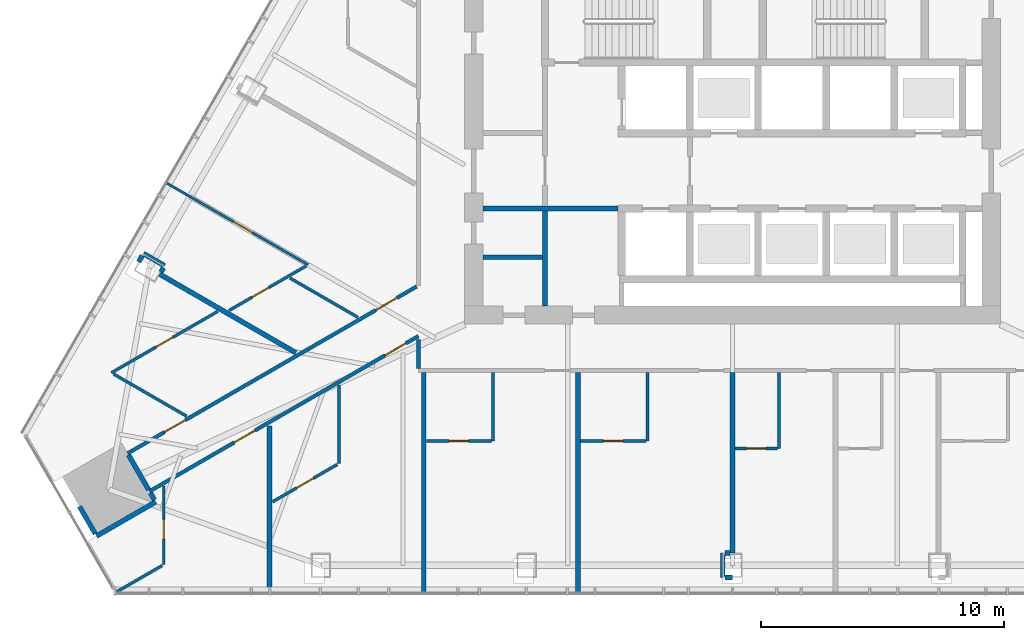
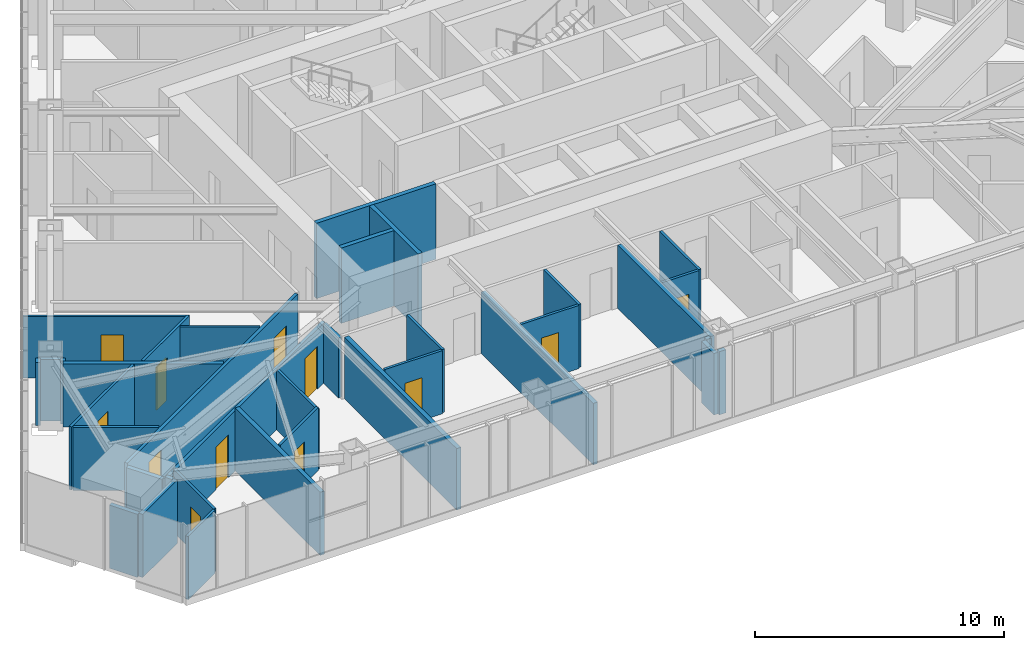
# One storey, part 12 of 19: 36 walls, 12 doors, 12 openings.
"""IFC4 building model written with IfcOpenShell, lengths in metres."""

from ifc_helpers import new_model, si_unit, direction, frame, frame_2d, origin, place, context, subcontext, project, spatial, rectangle, extrude, material, layer, layer_set, type_object, element, fill, save


model = new_model("IFC4")

# Units and contexts
model_context = context("Model", 3, precision=1e-05, world=origin(), true_north=direction((0.0, 1.0)))
body_context = subcontext(model_context, "Body", "Model", "MODEL_VIEW")
ifc_project = project(units=[si_unit("LENGTHUNIT", "METRE"), si_unit("AREAUNIT", "SQUARE_METRE"), si_unit("VOLUMEUNIT", "CUBIC_METRE"), si_unit("PLANEANGLEUNIT", "RADIAN"), si_unit("MASSUNIT", "GRAM", prefix="KILO")], contexts=[model_context])

# Site, building, storey
site_placement = place(None, origin())
site = spatial("IfcSite", under=ifc_project, at=site_placement, CompositionType="ELEMENT")
building_placement = place(site_placement, origin())
building = spatial("IfcBuilding", under=site, at=building_placement, Name="Firuza Gate Tower and Library", CompositionType="ELEMENT")
storey_placement = place(building_placement, frame((0.0, 0.0, 210.39990234375)))
storey = spatial("IfcBuildingStorey", under=building, at=storey_placement, Name="L49", CompositionType="ELEMENT", Elevation=210.39990234375)

# Walls
ifc_material_1 = material(Name="Plasterboard on steel studs", Category="steel")
ifc_layer_1 = layer(ifc_material_1, 0.199951171875)
ifc_layer_set_1 = layer_set([ifc_layer_1], Name="Core partition 200 EI 120")
wall_type_1 = type_object("IfcWallType", Name="Core partition 200 EI 120", PredefinedType="PARTITIONING", material=ifc_layer_set_1)
wall_1_placement = place(storey_placement, frame((64.75, 71.75, 0.0), z_axis=(0.0, 0.0, 1.0), x_axis=(1.0, 0.0, 0.0)))
element("IfcWall", 1, at=wall_1_placement, inside=storey, type_object=wall_type_1, Name="Core partition L49 2", PredefinedType="PARTITIONING", context=body_context, shape_type="SweptSolid", body=[
    extrude(rectangle(XDim=5.550048828125, YDim=0.199951171875, at=frame_2d((2.77490234375, 0.0))), origin(), (0.0, 0.0, 1.0), 3.7001953125),
])
wall_2_placement = place(storey_placement, frame((67.300048828125, 67.75, 0.0), z_axis=(0.0, 0.0, 1.0), x_axis=(0.0, 1.0, 0.0)))
element("IfcWall", 2, at=wall_2_placement, inside=storey, type_object=wall_type_1, Name="Core partition L49 7", PredefinedType="PARTITIONING", context=body_context, shape_type="SweptSolid", body=[
    extrude(rectangle(XDim=3.89990234375, YDim=0.199951171875, at=frame_2d((1.949951171875, 0.0))), origin(), (0.0, 0.0, 1.0), 3.7001953125),
])
ifc_material_2 = material(Name="Plasterboard on steel studs", Category="steel")
ifc_layer_2 = layer(ifc_material_2, 0.199951171875)
ifc_layer_set_2 = layer_set([ifc_layer_2], Name="Core partition 200 EI 60")
wall_type_2 = type_object("IfcWallType", Name="Core partition 200 EI 60", PredefinedType="PARTITIONING", material=ifc_layer_set_2)
wall_3_placement = place(storey_placement, frame((64.75, 69.75, 0.0), z_axis=(0.0, 0.0, 1.0), x_axis=(1.0, 0.0, 0.0)))
element("IfcWall", 3, at=wall_3_placement, inside=storey, type_object=wall_type_2, Name="Core partition L49 1", PredefinedType="PARTITIONING", context=body_context, shape_type="SweptSolid", body=[
    extrude(rectangle(XDim=2.449951171875, YDim=0.199951171875, at=frame_2d((1.22509765625, 0.0))), origin(), (0.0, 0.0, 1.0), 3.7001953125),
])

# Wall, openings, doors
ifc_material_3 = material(Name="Gypsum board partition")
ifc_layer_3 = layer(ifc_material_3, 0.14990234375)
ifc_layer_set_3 = layer_set([ifc_layer_3], Name="Corridor wall 150 double board on steel studs")
wall_type_3 = type_object("IfcWallType", Name="Corridor wall 150 double board on steel studs", PredefinedType="PARTITIONING", material=ifc_layer_set_3)
wall_4_placement = place(storey_placement, frame((62.099853515625, 66.512939453125, 0.0), z_axis=(0.0, 0.0, 1.0), x_axis=(-0.866025886419, -0.499999164051, 0.0)))
wall_4 = element("IfcWall", 4, at=wall_4_placement, inside=storey, type_object=wall_type_3, Name="f:L49:w029", PredefinedType="PARTITIONING", context=body_context, shape_type="SweptSolid", body=[
    extrude(rectangle(XDim=12.75439453125, YDim=0.14990234375, at=frame_2d((6.377197265625, 0.0))), origin(), (0.0, 0.0, 1.0), 2.947021484375),
])
opening_1_placement = place(wall_4_placement, frame((0.587158203125, 0.0, 0.0)))
opening_1 = element("IfcOpeningElement", 5, at=opening_1_placement, cuts=wall_4, Name="Opening L49-21", PredefinedType="OPENING", context=body_context, shape_type="SweptSolid", body=[
    extrude(rectangle(XDim=1.0, YDim=2.10009765625, at=frame_2d((0.5, 1.050048828125))), frame((0.0, 0.0849609375, 0.0), z_axis=(0.0, -1.0, 0.0), x_axis=(1.0, 0.0, 0.0)), (0.0, 0.0, 1.0), 0.169921875),
])
opening_2_placement = place(wall_4_placement, frame((7.742431640625, 0.0, 0.0)))
opening_2 = element("IfcOpeningElement", 6, at=opening_2_placement, cuts=wall_4, Name="Opening L49-22", PredefinedType="OPENING", context=body_context, shape_type="SweptSolid", body=[
    extrude(rectangle(XDim=1.0, YDim=2.10009765625, at=frame_2d((0.5, 1.050048828125))), frame((0.0, 0.0849609375, 0.0), z_axis=(0.0, -1.0, 0.0), x_axis=(1.0, 0.0, 0.0)), (0.0, 0.0, 1.0), 0.169921875),
])
ifc_material_4 = material(Name="Steel door and timber leaf", Category="steel")
door_type_1 = type_object("IfcDoorType", Name="Fire door 1000 x 2100 steel frame, timber leaf", OperationType="NOTDEFINED", PredefinedType="DOOR", material=ifc_material_4)
door_1_placement = place(opening_1_placement, origin())
door_1 = element("IfcDoor", 7, at=door_1_placement, inside=storey, type_object=door_type_1, Name="f:L49:d021", OperationType="SINGLE_SWING_RIGHT", OverallHeight=2.10009765625, OverallWidth=1.0, PredefinedType="DOOR", context=body_context, shape_type="SweptSolid", body=[
    extrude(rectangle(XDim=1.0, YDim=2.10009765625, at=frame_2d((0.5, 1.050048828125))), frame((0.0, 0.02490234375, 0.0), z_axis=(0.0, -1.0, 0.0), x_axis=(1.0, 0.0, 0.0)), (0.0, 0.0, 1.0), 0.050048828125),
])
fill(opening_1, door_1)
door_2_placement = place(opening_2_placement, origin())
door_2 = element("IfcDoor", 8, at=door_2_placement, inside=storey, type_object=door_type_1, Name="f:L49:d022", OperationType="SINGLE_SWING_RIGHT", OverallHeight=2.10009765625, OverallWidth=1.0, PredefinedType="DOOR", context=body_context, shape_type="SweptSolid", body=[
    extrude(rectangle(XDim=1.0, YDim=2.10009765625, at=frame_2d((0.5, 1.050048828125))), frame((0.0, 0.02490234375, 0.0), z_axis=(0.0, -1.0, 0.0), x_axis=(1.0, 0.0, 0.0)), (0.0, 0.0, 1.0), 0.050048828125),
])
fill(opening_2, door_2)

wall_5_placement = place(storey_placement, frame((50.15478515625, 61.69482421875, 0.0), z_axis=(0.0, 0.0, 1.0), x_axis=(0.8660236305, 0.500003071406, 0.0)))
wall_5 = element("IfcWall", 9, at=wall_5_placement, inside=storey, type_object=wall_type_3, Name="f:L49:w032", PredefinedType="PARTITIONING", context=body_context, shape_type="SweptSolid", body=[
    extrude(rectangle(XDim=13.70654296875, YDim=0.14990234375, at=frame_2d((6.853271484375, 0.0))), origin(), (0.0, 0.0, 1.0), 3.10009765625),
])
opening_3_placement = place(wall_5_placement, frame((1.736328125, 0.0, 0.0)))
opening_3 = element("IfcOpeningElement", 10, at=opening_3_placement, cuts=wall_5, Name="Opening L49-23", PredefinedType="OPENING", context=body_context, shape_type="SweptSolid", body=[
    extrude(rectangle(XDim=1.0, YDim=2.10009765625, at=frame_2d((0.5, 1.050048828125))), frame((0.0, 0.0849609375, 0.0), z_axis=(0.0, -1.0, 0.0), x_axis=(1.0, 0.0, 0.0)), (0.0, 0.0, 1.0), 0.169921875),
])
opening_4_placement = place(wall_5_placement, frame((11.777099609375, 0.0, 0.0)))
opening_4 = element("IfcOpeningElement", 11, at=opening_4_placement, cuts=wall_5, Name="Opening L49-24", PredefinedType="OPENING", context=body_context, shape_type="SweptSolid", body=[
    extrude(rectangle(XDim=1.0, YDim=2.10009765625, at=frame_2d((0.5, 1.050048828125))), frame((0.0, 0.0849609375, 0.0), z_axis=(0.0, -1.0, 0.0), x_axis=(1.0, 0.0, 0.0)), (0.0, 0.0, 1.0), 0.169921875),
])
door_3_placement = place(opening_3_placement, origin())
door_3 = element("IfcDoor", 12, at=door_3_placement, inside=storey, type_object=door_type_1, Name="f:L49:d023", OperationType="SINGLE_SWING_LEFT", OverallHeight=2.10009765625, OverallWidth=1.0, PredefinedType="DOOR", context=body_context, shape_type="SweptSolid", body=[
    extrude(rectangle(XDim=1.0, YDim=2.10009765625, at=frame_2d((0.5, 1.050048828125))), frame((0.0, 0.02490234375, 0.0), z_axis=(0.0, -1.0, 0.0), x_axis=(1.0, 0.0, 0.0)), (0.0, 0.0, 1.0), 0.050048828125),
])
fill(opening_3, door_3)
door_4_placement = place(opening_4_placement, origin())
door_4 = element("IfcDoor", 13, at=door_4_placement, inside=storey, type_object=door_type_1, Name="f:L49:d024", OperationType="SINGLE_SWING_RIGHT", OverallHeight=2.10009765625, OverallWidth=1.0, PredefinedType="DOOR", context=body_context, shape_type="SweptSolid", body=[
    extrude(rectangle(XDim=1.0, YDim=2.10009765625, at=frame_2d((0.5, 1.050048828125))), frame((0.0, 0.02490234375, 0.0), z_axis=(0.0, -1.0, 0.0), x_axis=(1.0, 0.0, 0.0)), (0.0, 0.0, 1.0), 0.050048828125),
])
fill(opening_4, door_4)

# Walls
wall_6_placement = place(storey_placement, frame((62.10009765625, 65.175537109375, 0.0), z_axis=(0.0, 0.0, 1.0), x_axis=(0.0, 1.0, 0.0)))
element("IfcWall", 14, at=wall_6_placement, inside=storey, type_object=wall_type_3, Name="f:L49:w081", PredefinedType="PARTITIONING", context=body_context, shape_type="SweptSolid", body=[
    extrude(rectangle(XDim=1.20068359375, YDim=0.14990234375, at=frame_2d((0.600341796875, 0.0))), origin(), (0.0, 0.0, 1.0), 2.947021484375),
])
ifc_material_5 = material(Name="Gypsum board partition")
ifc_layer_4 = layer(ifc_material_5, 0.199951171875)
ifc_layer_set_4 = layer_set([ifc_layer_4], Name="Demising wall 200 acoustic double stud")
wall_type_4 = type_object("IfcWallType", Name="Demising wall 200 acoustic double stud", PredefinedType="PARTITIONING", material=ifc_layer_set_4)
wall_7_placement = place(storey_placement, frame((74.700439453125, 56.596923828125, 0.0), z_axis=(0.0, 0.0, 1.0), x_axis=(1.0, 0.0, 0.0)))
element("IfcWall", 15, at=wall_7_placement, inside=storey, type_object=wall_type_4, Name="f:L49:w000", PredefinedType="PARTITIONING", context=body_context, shape_type="SweptSolid", body=[
    extrude(rectangle(XDim=0.299072265625, YDim=0.199951171875, at=frame_2d((0.1494140625, 0.0))), origin(), (0.0, 0.0, 1.0), 3.10009765625),
])
wall_8_placement = place(storey_placement, frame((74.700439453125, 57.596923828125, 0.0), z_axis=(0.0, 0.0, 1.0), x_axis=(1.0, 0.0, 0.0)))
element("IfcWall", 16, at=wall_8_placement, inside=storey, type_object=wall_type_4, Name="f:L49:w002", PredefinedType="PARTITIONING", context=body_context, shape_type="SweptSolid", body=[
    extrude(rectangle(XDim=0.198974609375, YDim=0.199951171875, at=frame_2d((0.099609375, 0.0))), origin(), (0.0, 0.0, 1.0), 3.10009765625),
])
wall_9_placement = place(storey_placement, frame((48.8798828125, 58.302978515625, 0.0), z_axis=(0.0, 0.0, 1.0), x_axis=(0.865985118016, 0.500069770506, 0.0)))
element("IfcWall", 17, at=wall_9_placement, inside=storey, type_object=wall_type_4, Name="f:L49:w028", PredefinedType="PARTITIONING", context=body_context, shape_type="SweptSolid", body=[
    extrude(rectangle(XDim=2.798828125, YDim=0.199951171875, at=frame_2d((1.3994140625, 0.0))), origin(), (0.0, 0.0, 1.0), 3.10009765625),
])
wall_10_placement = place(storey_placement, frame((51.523193359375, 69.142822265625, 0.0), z_axis=(0.0, 0.0, 1.0), x_axis=(0.500359323436, 0.865817848887, 0.0)))
element("IfcWall", 18, at=wall_10_placement, inside=storey, type_object=wall_type_4, Name="f:L49:w044", PredefinedType="PARTITIONING", context=body_context, shape_type="SweptSolid", body=[
    extrude(rectangle(XDim=0.198974609375, YDim=0.199951171875, at=frame_2d((0.099609375, 0.0))), origin(), (0.0, 0.0, 1.0), 3.10009765625),
])
wall_11_placement = place(storey_placement, frame((50.607177734375, 69.55615234375, 0.0), z_axis=(0.0, 0.0, 1.0), x_axis=(0.49965177357, 0.866226359082, 0.0)))
element("IfcWall", 19, at=wall_11_placement, inside=storey, type_object=wall_type_4, Name="f:L49:w045", PredefinedType="PARTITIONING", context=body_context, shape_type="SweptSolid", body=[
    extrude(rectangle(XDim=0.299072265625, YDim=0.199951171875, at=frame_2d((0.1494140625, 0.0))), origin(), (0.0, 0.0, 1.0), 3.10009765625),
])
wall_12_placement = place(storey_placement, frame((75.0, 57.597900390625, 0.0), z_axis=(0.0, 0.0, 1.0), x_axis=(0.0, 1.0, 0.0)))
element("IfcWall", 20, at=wall_12_placement, inside=storey, type_object=wall_type_4, Name="f:L49:w068", PredefinedType="PARTITIONING", context=body_context, shape_type="SweptSolid", body=[
    extrude(rectangle(XDim=7.427001953125, YDim=0.199951171875, at=frame_2d((3.71337890625, 0.0))), origin(), (0.0, 0.0, 1.0), 3.10009765625),
])
wall_13_placement = place(storey_placement, frame((74.60009765625, 56.597900390625, 0.0), z_axis=(0.0, 0.0, 1.0), x_axis=(0.0, 1.0, 0.0)))
element("IfcWall", 21, at=wall_13_placement, inside=storey, type_object=wall_type_4, Name="f:L49:w069", PredefinedType="PARTITIONING", context=body_context, shape_type="SweptSolid", body=[
    extrude(rectangle(XDim=0.9990234375, YDim=0.199951171875, at=frame_2d((0.49951171875, 0.0))), origin(), (0.0, 0.0, 1.0), 3.022216796875),
])
for number, where, z_axis, x_axis, name in (
    (22, (68.657958984375, 55.99755859375, 0.0), (0.0, 0.0, 1.0), (0.0, 1.0, 0.0), "f:L49:w076"),
    (23, (62.31689453125, 55.99755859375, 0.0), (0.0, 0.0, 1.0), (0.0, 1.0, 0.0), "f:L49:w080"),
):
    element("IfcWall", number, at=place(storey_placement, frame(where, z_axis=z_axis, x_axis=x_axis)), inside=storey, type_object=wall_type_4, Name=name, PredefinedType="PARTITIONING", context=body_context, shape_type="SweptSolid", body=[
        extrude(rectangle(XDim=9.02734375, YDim=0.199951171875, at=frame_2d((4.513671875, 0.0))), origin(), (0.0, 0.0, 1.0), 3.022216796875),
    ])
wall_14_placement = place(storey_placement, frame((55.97509765625, 55.99755859375, 0.0), z_axis=(0.0, 0.0, 1.0), x_axis=(0.0, 1.0, 0.0)))
element("IfcWall", 24, at=wall_14_placement, inside=storey, type_object=wall_type_4, Name="f:L49:w085", PredefinedType="PARTITIONING", context=body_context, shape_type="SweptSolid", body=[
    extrude(rectangle(XDim=6.832275390625, YDim=0.199951171875, at=frame_2d((3.416015625, 0.0))), origin(), (0.0, 0.0, 1.0), 3.10009765625),
])
wall_15_placement = place(storey_placement, frame((51.25390625, 59.78955078125, 0.0), z_axis=(0.0, 0.0, 1.0), x_axis=(-0.499939380126, 0.866060399857, 0.0)))
element("IfcWall", 25, at=wall_15_placement, inside=storey, type_object=wall_type_4, Name="f:L49:w092", PredefinedType="PARTITIONING", context=body_context, shape_type="SweptSolid", body=[
    extrude(rectangle(XDim=0.32470703125, YDim=0.199951171875, at=frame_2d((0.162353515625, 0.0))), origin(), (0.0, 0.0, 1.0), 3.10009765625),
])
wall_16_placement = place(storey_placement, frame((48.8291015625, 58.3896484375, 0.0), z_axis=(0.0, 0.0, 1.0), x_axis=(-0.500080332001, 0.865979019114, 0.0)))
element("IfcWall", 26, at=wall_16_placement, inside=storey, type_object=wall_type_4, Name="f:L49:w093", PredefinedType="PARTITIONING", context=body_context, shape_type="SweptSolid", body=[
    extrude(rectangle(XDim=1.299072265625, YDim=0.199951171875, at=frame_2d((0.6494140625, 0.0))), origin(), (0.0, 0.0, 1.0), 3.10009765625),
])
wall_17_placement = place(storey_placement, frame((51.673095703125, 69.402587890625, 0.0), z_axis=(0.0, 0.0, 1.0), x_axis=(-0.866039090965, 0.499976292358, 0.0)))
element("IfcWall", 27, at=wall_17_placement, inside=storey, type_object=wall_type_4, Name="f:L49:w116", PredefinedType="PARTITIONING", context=body_context, shape_type="SweptSolid", body=[
    extrude(rectangle(XDim=0.9990234375, YDim=0.199951171875, at=frame_2d((0.49951171875, 0.0))), origin(), (0.0, 0.0, 1.0), 3.022216796875),
])
wall_18_placement = place(storey_placement, frame((57.06201171875, 65.82958984375, 0.0), z_axis=(0.0, 0.0, 1.0), x_axis=(-0.866041300655, 0.499972464802, 0.0)))
element("IfcWall", 28, at=wall_18_placement, inside=storey, type_object=wall_type_4, Name="f:L49:w117", PredefinedType="PARTITIONING", context=body_context, shape_type="SweptSolid", body=[
    extrude(rectangle(XDim=6.452392578125, YDim=0.199951171875, at=frame_2d((3.22607421875, 0.0))), origin(), (0.0, 0.0, 1.0), 3.10009765625),
])
wall_19_placement = place(storey_placement, frame((51.0166015625, 60.20068359375, 0.0), z_axis=(0.0, 0.0, 1.0), x_axis=(-0.499991515992, 0.866030301974, 0.0)))
element("IfcWall", 29, at=wall_19_placement, inside=storey, type_object=wall_type_4, Name="f:L49:w121", PredefinedType="PARTITIONING", context=body_context, shape_type="SweptSolid", body=[
    extrude(rectangle(XDim=1.6494140625, YDim=0.199951171875, at=frame_2d((0.82470703125, 0.0))), origin(), (0.0, 0.0, 1.0), 2.947021484375),
])

# Wall, opening, door
ifc_material_6 = material(Name="Gypsum board partition")
ifc_layer_5 = layer(ifc_material_6, 0.10009765625)
ifc_layer_set_5 = layer_set([ifc_layer_5], Name="Partition 100 gypsum board on steel studs")
wall_type_5 = type_object("IfcWallType", Name="Partition 100 gypsum board on steel studs", PredefinedType="PARTITIONING", material=ifc_layer_set_5)
wall_20_placement = place(storey_placement, frame((57.571044921875, 69.440673828125, 0.0), z_axis=(0.0, 0.0, 1.0), x_axis=(-0.866019636692, 0.500009988763, 0.0)))
wall_20 = element("IfcWall", 30, at=wall_20_placement, inside=storey, type_object=wall_type_5, Name="f:L49:w114", PredefinedType="PARTITIONING", context=body_context, shape_type="SweptSolid", body=[
    extrude(rectangle(XDim=6.688232421875, YDim=0.10009765625, at=frame_2d((3.34423828125, 0.0))), origin(), (0.0, 0.0, 1.0), 3.022216796875),
])
opening_5_placement = place(wall_20_placement, frame((2.64404296875, 0.0, 0.0)))
opening_5 = element("IfcOpeningElement", 31, at=opening_5_placement, cuts=wall_20, Name="Opening L49-48", PredefinedType="OPENING", context=body_context, shape_type="SweptSolid", body=[
    extrude(rectangle(XDim=0.89990234375, YDim=2.10009765625, at=frame_2d((0.449951171875, 1.050048828125))), frame((0.0, 0.06005859375, 0.0), z_axis=(0.0, -1.0, 0.0), x_axis=(1.0, 0.0, 0.0)), (0.0, 0.0, 1.0), 0.1201171875),
])
ifc_material_7 = material(Name="Timber door", Category="wood")
door_type_2 = type_object("IfcDoorType", Name="Door 900 x 2100 timber leaf", OperationType="NOTDEFINED", PredefinedType="DOOR", material=ifc_material_7)
door_5_placement = place(opening_5_placement, origin())
door_5 = element("IfcDoor", 32, at=door_5_placement, inside=storey, type_object=door_type_2, Name="f:L49:d048", OperationType="SINGLE_SWING_LEFT", OverallHeight=2.10009765625, OverallWidth=0.89990234375, PredefinedType="DOOR", context=body_context, shape_type="SweptSolid", body=[
    extrude(rectangle(XDim=0.89990234375, YDim=2.10009765625, at=frame_2d((0.449951171875, 1.050048828125))), frame((0.0, 0.02490234375, 0.0), z_axis=(0.0, -1.0, 0.0), x_axis=(1.0, 0.0, 0.0)), (0.0, 0.0, 1.0), 0.050048828125),
])
fill(opening_5, door_5)

ifc_material_8 = material(Name="Gypsum board partition")
ifc_layer_6 = layer(ifc_material_8, 0.1201171875)
ifc_layer_set_6 = layer_set([ifc_layer_6], Name="Wet-area partition 120 moisture-resistant board")
wall_type_6 = type_object("IfcWallType", Name="Wet-area partition 120 moisture-resistant board", PredefinedType="PARTITIONING", material=ifc_layer_set_6)
wall_21_placement = place(storey_placement, frame((75.10009765625, 61.89990234375, 0.0), z_axis=(0.0, 0.0, 1.0), x_axis=(1.0, 0.0, 0.0)))
wall_21 = element("IfcWall", 33, at=wall_21_placement, inside=storey, type_object=wall_type_6, Name="f:L49:w003", PredefinedType="PARTITIONING", context=body_context, shape_type="SweptSolid", body=[
    extrude(rectangle(XDim=1.742431640625, YDim=0.1201171875, at=frame_2d((0.87109375, 0.0))), origin(), (0.0, 0.0, 1.0), 3.10009765625),
])
opening_6_placement = place(wall_21_placement, frame((0.47119140625, 0.0, 0.0)))
opening_6 = element("IfcOpeningElement", 34, at=opening_6_placement, cuts=wall_21, Name="Opening L49-01", PredefinedType="OPENING", context=body_context, shape_type="SweptSolid", body=[
    extrude(rectangle(XDim=0.800048828125, YDim=2.10009765625, at=frame_2d((0.39990234375, 1.050048828125))), frame((0.0, 0.070068359375, 0.0), z_axis=(0.0, -1.0, 0.0), x_axis=(1.0, 0.0, 0.0)), (0.0, 0.0, 1.0), 0.14013671875),
])
ifc_material_9 = material(Name="Timber door", Category="wood")
door_type_3 = type_object("IfcDoorType", Name="Door 800 x 2100 timber leaf", OperationType="NOTDEFINED", PredefinedType="DOOR", material=ifc_material_9)
door_6_placement = place(opening_6_placement, origin())
door_6 = element("IfcDoor", 35, at=door_6_placement, inside=storey, type_object=door_type_3, Name="f:L49:d001", OperationType="SINGLE_SWING_RIGHT", OverallHeight=2.10009765625, OverallWidth=0.800048828125, PredefinedType="DOOR", context=body_context, shape_type="SweptSolid", body=[
    extrude(rectangle(XDim=0.800048828125, YDim=2.10009765625, at=frame_2d((0.39990234375, 1.050048828125))), frame((0.0, 0.02490234375, 0.0), z_axis=(0.0, -1.0, 0.0), x_axis=(1.0, 0.0, 0.0)), (0.0, 0.0, 1.0), 0.050048828125),
])
fill(opening_6, door_6)

wall_22_placement = place(storey_placement, frame((62.426513671875, 62.199951171875, 0.0), z_axis=(0.0, 0.0, 1.0), x_axis=(1.0, 0.0, 0.0)))
wall_22 = element("IfcWall", 36, at=wall_22_placement, inside=storey, type_object=wall_type_6, Name="f:L49:w005", PredefinedType="PARTITIONING", context=body_context, shape_type="SweptSolid", body=[
    extrude(rectangle(XDim=2.673828125, YDim=0.1201171875, at=frame_2d((1.3369140625, 0.0))), origin(), (0.0, 0.0, 1.0), 3.10009765625),
])
opening_7_placement = place(wall_22_placement, frame((0.93701171875, 0.0, 0.0)))
opening_7 = element("IfcOpeningElement", 37, at=opening_7_placement, cuts=wall_22, Name="Opening L49-03", PredefinedType="OPENING", context=body_context, shape_type="SweptSolid", body=[
    extrude(rectangle(XDim=0.800048828125, YDim=2.10009765625, at=frame_2d((0.39990234375, 1.050048828125))), frame((0.0, 0.070068359375, 0.0), z_axis=(0.0, -1.0, 0.0), x_axis=(1.0, 0.0, 0.0)), (0.0, 0.0, 1.0), 0.14013671875),
])
door_7_placement = place(opening_7_placement, origin())
door_7 = element("IfcDoor", 38, at=door_7_placement, inside=storey, type_object=door_type_3, Name="f:L49:d003", OperationType="SINGLE_SWING_RIGHT", OverallHeight=2.10009765625, OverallWidth=0.800048828125, PredefinedType="DOOR", context=body_context, shape_type="SweptSolid", body=[
    extrude(rectangle(XDim=0.800048828125, YDim=2.10009765625, at=frame_2d((0.39990234375, 1.050048828125))), frame((0.0, 0.02490234375, 0.0), z_axis=(0.0, -1.0, 0.0), x_axis=(1.0, 0.0, 0.0)), (0.0, 0.0, 1.0), 0.050048828125),
])
fill(opening_7, door_7)

wall_23_placement = place(storey_placement, frame((68.75830078125, 62.199951171875, 0.0), z_axis=(0.0, 0.0, 1.0), x_axis=(1.0, 0.0, 0.0)))
wall_23 = element("IfcWall", 39, at=wall_23_placement, inside=storey, type_object=wall_type_6, Name="f:L49:w006", PredefinedType="PARTITIONING", context=body_context, shape_type="SweptSolid", body=[
    extrude(rectangle(XDim=2.683837890625, YDim=0.1201171875, at=frame_2d((1.341796875, 0.0))), origin(), (0.0, 0.0, 1.0), 3.10009765625),
])
opening_8_placement = place(wall_23_placement, frame((0.94189453125, 0.0, 0.0)))
opening_8 = element("IfcOpeningElement", 40, at=opening_8_placement, cuts=wall_23, Name="Opening L49-04", PredefinedType="OPENING", context=body_context, shape_type="SweptSolid", body=[
    extrude(rectangle(XDim=0.800048828125, YDim=2.10009765625, at=frame_2d((0.39990234375, 1.050048828125))), frame((0.0, 0.070068359375, 0.0), z_axis=(0.0, -1.0, 0.0), x_axis=(1.0, 0.0, 0.0)), (0.0, 0.0, 1.0), 0.14013671875),
])
door_8_placement = place(opening_8_placement, origin())
door_8 = element("IfcDoor", 41, at=door_8_placement, inside=storey, type_object=door_type_3, Name="f:L49:d004", OperationType="SINGLE_SWING_RIGHT", OverallHeight=2.10009765625, OverallWidth=0.800048828125, PredefinedType="DOOR", context=body_context, shape_type="SweptSolid", body=[
    extrude(rectangle(XDim=0.800048828125, YDim=2.10009765625, at=frame_2d((0.39990234375, 1.050048828125))), frame((0.0, 0.02490234375, 0.0), z_axis=(0.0, -1.0, 0.0), x_axis=(1.0, 0.0, 0.0)), (0.0, 0.0, 1.0), 0.050048828125),
])
fill(opening_8, door_8)

# Wall
wall_24_placement = place(storey_placement, frame((49.70703125, 56.00927734375, 0.0), z_axis=(0.0, 0.0, 1.0), x_axis=(0.865990033018, 0.500061258962, 0.0)))
element("IfcWall", 42, at=wall_24_placement, inside=storey, type_object=wall_type_6, Name="f:L49:w025", PredefinedType="PARTITIONING", context=body_context, shape_type="SweptSolid", body=[
    extrude(rectangle(XDim=2.162353515625, YDim=0.1201171875, at=frame_2d((1.0810546875, 0.0))), origin(), (0.0, 0.0, 1.0), 3.10009765625),
])

# Wall, opening, door
wall_25_placement = place(storey_placement, frame((56.109375, 59.705810546875, 0.0), z_axis=(0.0, 0.0, 1.0), x_axis=(0.866042588199, 0.499970234539, 0.0)))
wall_25 = element("IfcWall", 43, at=wall_25_placement, inside=storey, type_object=wall_type_6, Name="f:L49:w026", PredefinedType="PARTITIONING", context=body_context, shape_type="SweptSolid", body=[
    extrude(rectangle(XDim=3.070556640625, YDim=0.1201171875, at=frame_2d((1.53515625, 0.0))), origin(), (0.0, 0.0, 1.0), 3.10009765625),
])
opening_9_placement = place(wall_25_placement, frame((1.13525390625, 0.0, 0.0)))
opening_9 = element("IfcOpeningElement", 44, at=opening_9_placement, cuts=wall_25, Name="Opening L49-19", PredefinedType="OPENING", context=body_context, shape_type="SweptSolid", body=[
    extrude(rectangle(XDim=0.800048828125, YDim=2.10009765625, at=frame_2d((0.39990234375, 1.050048828125))), frame((0.0, 0.070068359375, 0.0), z_axis=(0.0, -1.0, 0.0), x_axis=(1.0, 0.0, 0.0)), (0.0, 0.0, 1.0), 0.14013671875),
])
door_9_placement = place(opening_9_placement, origin())
door_9 = element("IfcDoor", 45, at=door_9_placement, inside=storey, type_object=door_type_3, Name="f:L49:d019", OperationType="SINGLE_SWING_RIGHT", OverallHeight=2.10009765625, OverallWidth=0.800048828125, PredefinedType="DOOR", context=body_context, shape_type="SweptSolid", body=[
    extrude(rectangle(XDim=0.800048828125, YDim=2.10009765625, at=frame_2d((0.39990234375, 1.050048828125))), frame((0.0, 0.02490234375, 0.0), z_axis=(0.0, -1.0, 0.0), x_axis=(1.0, 0.0, 0.0)), (0.0, 0.0, 1.0), 0.050048828125),
])
fill(opening_9, door_9)

wall_26_placement = place(storey_placement, frame((57.486328125, 69.391845703125, 0.0), z_axis=(0.0, 0.0, 1.0), x_axis=(-0.866029747927, -0.499992475648, 0.0)))
wall_26 = element("IfcWall", 46, at=wall_26_placement, inside=storey, type_object=wall_type_6, Name="f:L49:w033", PredefinedType="PARTITIONING", context=body_context, shape_type="SweptSolid", body=[
    extrude(rectangle(XDim=3.65234375, YDim=0.1201171875, at=frame_2d((1.826171875, 0.0))), origin(), (0.0, 0.0, 1.0), 3.10009765625),
])
opening_10_placement = place(wall_26_placement, frame((1.765380859375, 0.0, 0.0)))
opening_10 = element("IfcOpeningElement", 47, at=opening_10_placement, cuts=wall_26, Name="Opening L49-25", PredefinedType="OPENING", context=body_context, shape_type="SweptSolid", body=[
    extrude(rectangle(XDim=0.800048828125, YDim=2.10009765625, at=frame_2d((0.39990234375, 1.050048828125))), frame((0.0, 0.070068359375, 0.0), z_axis=(0.0, -1.0, 0.0), x_axis=(1.0, 0.0, 0.0)), (0.0, 0.0, 1.0), 0.14013671875),
])
door_10_placement = place(opening_10_placement, origin())
door_10 = element("IfcDoor", 48, at=door_10_placement, inside=storey, type_object=door_type_3, Name="f:L49:d025", OperationType="SINGLE_SWING_LEFT", OverallHeight=2.10009765625, OverallWidth=0.800048828125, PredefinedType="DOOR", context=body_context, shape_type="SweptSolid", body=[
    extrude(rectangle(XDim=0.800048828125, YDim=2.10009765625, at=frame_2d((0.39990234375, 1.050048828125))), frame((0.0, 0.02490234375, 0.0), z_axis=(0.0, -1.0, 0.0), x_axis=(1.0, 0.0, 0.0)), (0.0, 0.0, 1.0), 0.050048828125),
])
fill(opening_10, door_10)

wall_27_placement = place(storey_placement, frame((53.85400390625, 67.525634765625, 0.0), z_axis=(0.0, 0.0, 1.0), x_axis=(-0.866025012717, -0.500000677347, 0.0)))
wall_27 = element("IfcWall", 49, at=wall_27_placement, inside=storey, type_object=wall_type_6, Name="f:L49:w034", PredefinedType="PARTITIONING", context=body_context, shape_type="SweptSolid", body=[
    extrude(rectangle(XDim=5.03857421875, YDim=0.1201171875, at=frame_2d((2.519287109375, 0.0))), origin(), (0.0, 0.0, 1.0), 3.10009765625),
])
opening_11_placement = place(wall_27_placement, frame((2.119384765625, 0.0, 0.0)))
opening_11 = element("IfcOpeningElement", 50, at=opening_11_placement, cuts=wall_27, Name="Opening L49-26", PredefinedType="OPENING", context=body_context, shape_type="SweptSolid", body=[
    extrude(rectangle(XDim=0.800048828125, YDim=2.10009765625, at=frame_2d((0.39990234375, 1.050048828125))), frame((0.0, 0.070068359375, 0.0), z_axis=(0.0, -1.0, 0.0), x_axis=(1.0, 0.0, 0.0)), (0.0, 0.0, 1.0), 0.14013671875),
])
door_11_placement = place(opening_11_placement, origin())
door_11 = element("IfcDoor", 51, at=door_11_placement, inside=storey, type_object=door_type_3, Name="f:L49:d026", OperationType="SINGLE_SWING_LEFT", OverallHeight=2.10009765625, OverallWidth=0.800048828125, PredefinedType="DOOR", context=body_context, shape_type="SweptSolid", body=[
    extrude(rectangle(XDim=0.800048828125, YDim=2.10009765625, at=frame_2d((0.39990234375, 1.050048828125))), frame((0.0, 0.02490234375, 0.0), z_axis=(0.0, -1.0, 0.0), x_axis=(1.0, 0.0, 0.0)), (0.0, 0.0, 1.0), 0.050048828125),
])
fill(opening_11, door_11)

# Walls
wall_28_placement = place(storey_placement, frame((76.903076171875, 61.89990234375, 0.0), z_axis=(0.0, 0.0, 1.0), x_axis=(0.0, 1.0, 0.0)))
element("IfcWall", 52, at=wall_28_placement, inside=storey, type_object=wall_type_6, Name="f:L49:w066", PredefinedType="PARTITIONING", context=body_context, shape_type="SweptSolid", body=[
    extrude(rectangle(XDim=3.125, YDim=0.1201171875, at=frame_2d((1.5625, 0.0))), origin(), (0.0, 0.0, 1.0), 3.10009765625),
])
for number, where, z_axis, x_axis, name in (
    (53, (71.511962890625, 62.199951171875, 0.0), (0.0, 0.0, 1.0), (0.0, 1.0, 0.0), "f:L49:w073"),
    (54, (65.169921875, 62.199951171875, 0.0), (0.0, 0.0, 1.0), (0.0, 1.0, 0.0), "f:L49:w079"),
):
    element("IfcWall", number, at=place(storey_placement, frame(where, z_axis=z_axis, x_axis=x_axis)), inside=storey, type_object=wall_type_6, Name=name, PredefinedType="PARTITIONING", context=body_context, shape_type="SweptSolid", body=[
        extrude(rectangle(XDim=2.824951171875, YDim=0.1201171875, at=frame_2d((1.41259765625, 0.0))), origin(), (0.0, 0.0, 1.0), 3.10009765625),
    ])
wall_29_placement = place(storey_placement, frame((58.8291015625, 61.275634765625, 0.0), z_axis=(0.0, 0.0, 1.0), x_axis=(0.0, 1.0, 0.0)))
element("IfcWall", 55, at=wall_29_placement, inside=storey, type_object=wall_type_6, Name="f:L49:w084", PredefinedType="PARTITIONING", context=body_context, shape_type="SweptSolid", body=[
    extrude(rectangle(XDim=3.221923828125, YDim=0.1201171875, at=frame_2d((1.61083984375, 0.0))), origin(), (0.0, 0.0, 1.0), 2.947021484375),
])

# Wall, opening, door
wall_30_placement = place(storey_placement, frame((51.639892578125, 57.125, 0.0), z_axis=(0.0, 0.0, 1.0), x_axis=(0.0, 1.0, 0.0)))
wall_30 = element("IfcWall", 56, at=wall_30_placement, inside=storey, type_object=wall_type_6, Name="f:L49:w086", PredefinedType="PARTITIONING", context=body_context, shape_type="SweptSolid", body=[
    extrude(rectangle(XDim=3.22216796875, YDim=0.1201171875, at=frame_2d((1.611083984375, 0.0))), origin(), (0.0, 0.0, 1.0), 3.10009765625),
])
opening_12_placement = place(wall_30_placement, frame((1.06103515625, 0.0, 0.0)))
opening_12 = element("IfcOpeningElement", 57, at=opening_12_placement, cuts=wall_30, Name="Opening L49-40", PredefinedType="OPENING", context=body_context, shape_type="SweptSolid", body=[
    extrude(rectangle(XDim=0.800048828125, YDim=2.10009765625, at=frame_2d((0.39990234375, 1.050048828125))), frame((0.0, 0.070068359375, 0.0), z_axis=(0.0, -1.0, 0.0), x_axis=(1.0, 0.0, 0.0)), (0.0, 0.0, 1.0), 0.14013671875),
])
door_12_placement = place(opening_12_placement, origin())
door_12 = element("IfcDoor", 58, at=door_12_placement, inside=storey, type_object=door_type_3, Name="f:L49:d040", OperationType="SINGLE_SWING_RIGHT", OverallHeight=2.10009765625, OverallWidth=0.800048828125, PredefinedType="DOOR", context=body_context, shape_type="SweptSolid", body=[
    extrude(rectangle(XDim=0.800048828125, YDim=2.10009765625, at=frame_2d((0.39990234375, 1.050048828125))), frame((0.0, 0.02490234375, 0.0), z_axis=(0.0, -1.0, 0.0), x_axis=(1.0, 0.0, 0.0)), (0.0, 0.0, 1.0), 0.050048828125),
])
fill(opening_12, door_12)

# Walls
wall_31_placement = place(storey_placement, frame((59.615478515625, 67.283447265625, 0.0), z_axis=(0.0, 0.0, 1.0), x_axis=(-0.866000447062, 0.500043223821, 0.0)))
element("IfcWall", 59, at=wall_31_placement, inside=storey, type_object=wall_type_6, Name="f:L49:w115", PredefinedType="PARTITIONING", context=body_context, shape_type="SweptSolid", body=[
    extrude(rectangle(XDim=3.228271484375, YDim=0.1201171875, at=frame_2d((1.6142578125, 0.0))), origin(), (0.0, 0.0, 1.0), 3.10009765625),
])
wall_32_placement = place(storey_placement, frame((52.58056640625, 63.2216796875, 0.0), z_axis=(0.0, 0.0, 1.0), x_axis=(-0.865997524453, 0.50004828531, 0.0)))
element("IfcWall", 60, at=wall_32_placement, inside=storey, type_object=wall_type_6, Name="f:L49:w118", PredefinedType="PARTITIONING", context=body_context, shape_type="SweptSolid", body=[
    extrude(rectangle(XDim=3.459228515625, YDim=0.1201171875, at=frame_2d((1.7294921875, 0.0))), origin(), (0.0, 0.0, 1.0), 3.10009765625),
])

save(model, "model.ifc")
